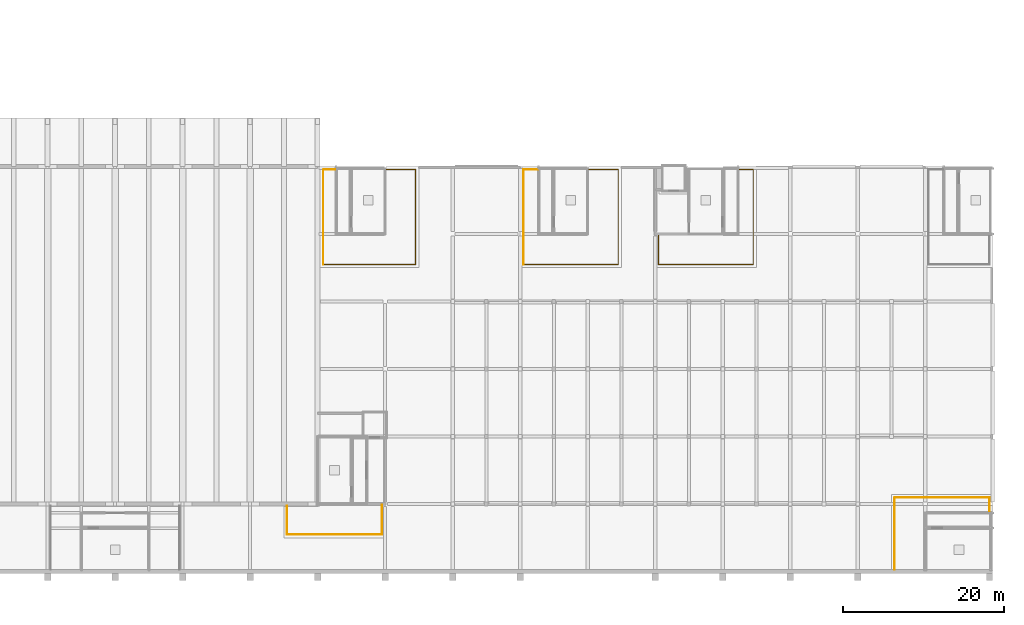
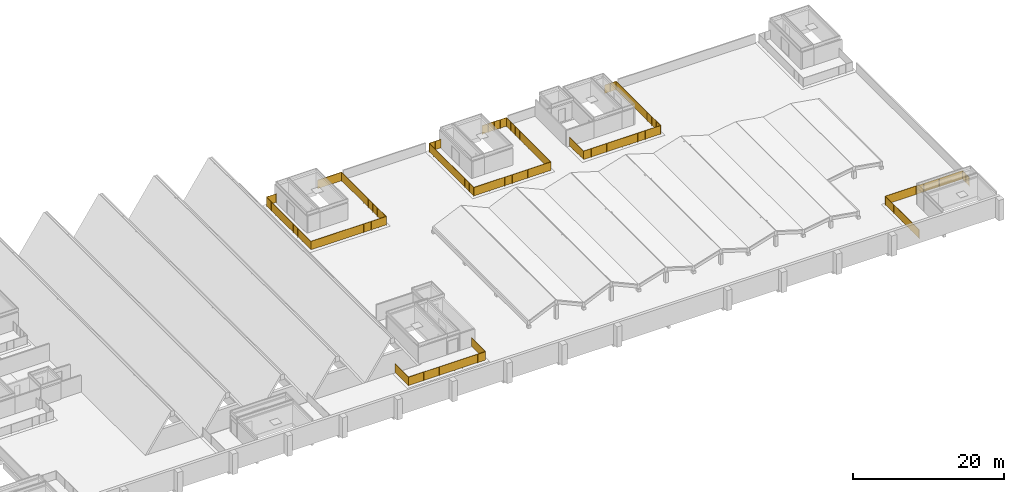
# One storey, part 22 of 24: 9 railings.
"""IFC4 building model written with IfcOpenShell, lengths in metres."""

from ifc_helpers import new_model, si_unit, direction, frame, origin, origin_2d, place, context, subcontext, project, spatial, polyline, circle, outline, extrude, material, type_object, element, save


model = new_model("IFC4")

# Units and contexts
model_context = context("Model", 3, precision=1e-05, world=origin(), true_north=direction((0.0, 1.0)))
body_context = subcontext(model_context, "Body", "Model", "MODEL_VIEW")
ifc_project = project(units=[si_unit("LENGTHUNIT", "METRE"), si_unit("AREAUNIT", "SQUARE_METRE"), si_unit("VOLUMEUNIT", "CUBIC_METRE"), si_unit("PLANEANGLEUNIT", "RADIAN"), si_unit("MASSUNIT", "GRAM", prefix="KILO")], contexts=[model_context])

# Site, building, storey
site_placement = place(None, origin())
site = spatial("IfcSite", under=ifc_project, at=site_placement, CompositionType="ELEMENT")
building_placement = place(site_placement, origin())
building = spatial("IfcBuilding", under=site, at=building_placement, Name="Rulbaag Community and Learning Centre", CompositionType="ELEMENT")
storey_placement = place(building_placement, frame((0.0, 0.0, 14.39990234375)))
storey = spatial("IfcBuildingStorey", under=building, at=storey_placement, Name="L03", CompositionType="ELEMENT", Elevation=14.39990234375)

# Railings
ifc_material = material(Name="Galvanised mild steel", Category="steel")
railing_type = type_object("IfcRailingType", Name="RL-150", PredefinedType="GUARDRAIL", material=ifc_material)
railing_1_placement = place(storey_placement, frame((92.0, 8.300048828125, 0.0)))
element("IfcRailing", 1, at=railing_1_placement, inside=storey, type_object=railing_type, Name="Terrace guard", PredefinedType="GUARDRAIL", context=body_context, shape_type="SweptSolid", body=[
    extrude(circle(Radius=0.02490234375, at=origin_2d()), frame((0.0, 0.0, 1.47509765625), z_axis=(0.0, -1.0, 0.0), x_axis=(1.0, 0.0, 0.0)), (0.0, 0.0, 1.0), 3.699951171875),
    extrude(circle(Radius=0.02001953125, at=origin_2d()), origin(), (0.0, 0.0, 1.0), 1.449951171875),
    extrude(circle(Radius=0.02001953125, at=origin_2d()), frame((0.0, -0.925048828125, 0.0)), (0.0, 0.0, 1.0), 1.449951171875),
    extrude(circle(Radius=0.02001953125, at=origin_2d()), frame((0.0, -1.85009765625, 0.0)), (0.0, 0.0, 1.0), 1.449951171875),
    extrude(circle(Radius=0.02001953125, at=origin_2d()), frame((0.0, -2.77490234375, 0.0)), (0.0, 0.0, 1.0), 1.449951171875),
    extrude(circle(Radius=0.02001953125, at=origin_2d()), frame((0.0, -3.699951171875, 0.0)), (0.0, 0.0, 1.0), 1.449951171875),
    extrude(outline(polyline([(0.0, 0.0), (3.699951171875, 0.0), (3.699951171875, 1.349853515625), (0.0, 1.349853515625), (0.0, 0.0)])), frame((0.0048828125, 0.0, 0.10009765625), z_axis=(-1.0, 0.0, 0.0), x_axis=(0.0, -1.0, 0.0)), (0.0, 0.0, 1.0), 0.010009765625),
])
railing_2_placement = place(storey_placement, frame((92.0, 4.60009765625, 0.0)))
element("IfcRailing", 2, at=railing_2_placement, inside=storey, type_object=railing_type, Name="Terrace guard", PredefinedType="GUARDRAIL", context=body_context, shape_type="SweptSolid", body=[
    extrude(circle(Radius=0.02490234375, at=origin_2d()), frame((0.0, 0.0, 1.47509765625), z_axis=(-1.0, 0.0, 0.0), x_axis=(0.0, -1.0, 0.0)), (0.0, 0.0, 1.0), 11.800048828125),
    extrude(circle(Radius=0.02490234375, at=origin_2d()), frame((-11.800048828125, 0.0, 1.47509765625), z_axis=(0.0, 1.0, 0.0), x_axis=(-1.0, 0.0, 0.0)), (0.0, 0.0, 1.0), 3.5498046875),
    extrude(circle(Radius=0.02001953125, at=origin_2d()), origin(), (0.0, 0.0, 1.0), 1.449951171875),
    extrude(circle(Radius=0.02001953125, at=origin_2d()), frame((-1.179931640625, 0.0, 0.0)), (0.0, 0.0, 1.0), 1.449951171875),
    extrude(circle(Radius=0.02001953125, at=origin_2d()), frame((-2.360107421875, 0.0, 0.0)), (0.0, 0.0, 1.0), 1.449951171875),
    extrude(circle(Radius=0.02001953125, at=origin_2d()), frame((-3.5400390625, 0.0, 0.0)), (0.0, 0.0, 1.0), 1.449951171875),
    extrude(circle(Radius=0.02001953125, at=origin_2d()), frame((-4.719970703125, 0.0, 0.0)), (0.0, 0.0, 1.0), 1.449951171875),
    extrude(circle(Radius=0.02001953125, at=origin_2d()), frame((-5.89990234375, 0.0, 0.0)), (0.0, 0.0, 1.0), 1.449951171875),
    extrude(circle(Radius=0.02001953125, at=origin_2d()), frame((-7.080078125, 0.0, 0.0)), (0.0, 0.0, 1.0), 1.449951171875),
    extrude(circle(Radius=0.02001953125, at=origin_2d()), frame((-8.260009765625, 0.0, 0.0)), (0.0, 0.0, 1.0), 1.449951171875),
    extrude(circle(Radius=0.02001953125, at=origin_2d()), frame((-9.43994140625, 0.0, 0.0)), (0.0, 0.0, 1.0), 1.449951171875),
    extrude(circle(Radius=0.02001953125, at=origin_2d()), frame((-10.6201171875, 0.0, 0.0)), (0.0, 0.0, 1.0), 1.449951171875),
    extrude(circle(Radius=0.02001953125, at=origin_2d()), frame((-11.800048828125, 0.0, 0.0)), (0.0, 0.0, 1.0), 1.449951171875),
    extrude(circle(Radius=0.02001953125, at=origin_2d()), frame((-11.800048828125, 1.183349609375, 0.0)), (0.0, 0.0, 1.0), 1.449951171875),
    extrude(circle(Radius=0.02001953125, at=origin_2d()), frame((-11.800048828125, 2.366455078125, 0.0)), (0.0, 0.0, 1.0), 1.449951171875),
    extrude(circle(Radius=0.02001953125, at=origin_2d()), frame((-11.800048828125, 3.5498046875, 0.0)), (0.0, 0.0, 1.0), 1.449951171875),
    extrude(outline(polyline([(0.0, 0.0), (11.800048828125, 0.0), (11.800048828125, 1.349853515625), (0.0, 1.349853515625), (0.0, 0.0)])), frame((0.0, -0.0048828125, 0.10009765625), z_axis=(0.0, 1.0, 0.0), x_axis=(-1.0, 0.0, 0.0)), (0.0, 0.0, 1.0), 0.010009765625),
    extrude(outline(polyline([(0.0, 0.0), (3.5498046875, 0.0), (3.5498046875, 1.349853515625), (0.0, 1.349853515625), (0.0, 0.0)])), frame((-11.80517578125, 0.0, 0.10009765625), z_axis=(1.0, 0.0, 0.0), x_axis=(0.0, 1.0, 0.0)), (0.0, 0.0, 1.0), 0.010009765625),
])
railing_3_placement = place(storey_placement, frame((136.39990234375, 50.0, 0.0)))
element("IfcRailing", 3, at=railing_3_placement, inside=storey, type_object=railing_type, Name="Terrace guard", PredefinedType="GUARDRAIL", context=body_context, shape_type="SweptSolid", body=[
    extrude(circle(Radius=0.02490234375, at=origin_2d()), frame((0.0, 0.0, 1.47509765625), z_axis=(1.0, 0.0, 0.0), x_axis=(0.0, 1.0, 0.0)), (0.0, 0.0, 1.0), 1.800048828125),
    extrude(circle(Radius=0.02490234375, at=origin_2d()), frame((1.800048828125, 0.0, 1.47509765625), z_axis=(0.0, -1.0, 0.0), x_axis=(1.0, 0.0, 0.0)), (0.0, 0.0, 1.0), 11.800048828125),
    extrude(circle(Radius=0.02490234375, at=origin_2d()), frame((1.800048828125, -11.800048828125, 1.47509765625), z_axis=(-1.0, 0.0, 0.0), x_axis=(0.0, -1.0, 0.0)), (0.0, 0.0, 1.0), 11.800048828125),
    extrude(circle(Radius=0.02490234375, at=origin_2d()), frame((-10.0, -11.800048828125, 1.47509765625), z_axis=(0.0, 1.0, 0.0), x_axis=(-1.0, 0.0, 0.0)), (0.0, 0.0, 1.0), 3.699951171875),
    extrude(circle(Radius=0.02001953125, at=origin_2d()), origin(), (0.0, 0.0, 1.0), 1.449951171875),
    extrude(circle(Radius=0.02001953125, at=origin_2d()), frame((0.89990234375, 0.0, 0.0)), (0.0, 0.0, 1.0), 1.449951171875),
    extrude(circle(Radius=0.02001953125, at=origin_2d()), frame((1.800048828125, 0.0, 0.0)), (0.0, 0.0, 1.0), 1.449951171875),
    extrude(circle(Radius=0.02001953125, at=origin_2d()), frame((1.800048828125, -1.179931640625, 0.0)), (0.0, 0.0, 1.0), 1.449951171875),
    extrude(circle(Radius=0.02001953125, at=origin_2d()), frame((1.800048828125, -2.360107421875, 0.0)), (0.0, 0.0, 1.0), 1.449951171875),
    extrude(circle(Radius=0.02001953125, at=origin_2d()), frame((1.800048828125, -3.5400390625, 0.0)), (0.0, 0.0, 1.0), 1.449951171875),
    extrude(circle(Radius=0.02001953125, at=origin_2d()), frame((1.800048828125, -4.719970703125, 0.0)), (0.0, 0.0, 1.0), 1.449951171875),
    extrude(circle(Radius=0.02001953125, at=origin_2d()), frame((1.800048828125, -5.89990234375, 0.0)), (0.0, 0.0, 1.0), 1.449951171875),
    extrude(circle(Radius=0.02001953125, at=origin_2d()), frame((1.800048828125, -7.080078125, 0.0)), (0.0, 0.0, 1.0), 1.449951171875),
    extrude(circle(Radius=0.02001953125, at=origin_2d()), frame((1.800048828125, -8.260009765625, 0.0)), (0.0, 0.0, 1.0), 1.449951171875),
    extrude(circle(Radius=0.02001953125, at=origin_2d()), frame((1.800048828125, -9.43994140625, 0.0)), (0.0, 0.0, 1.0), 1.449951171875),
    extrude(circle(Radius=0.02001953125, at=origin_2d()), frame((1.800048828125, -10.6201171875, 0.0)), (0.0, 0.0, 1.0), 1.449951171875),
    extrude(circle(Radius=0.02001953125, at=origin_2d()), frame((1.800048828125, -11.800048828125, 0.0)), (0.0, 0.0, 1.0), 1.449951171875),
    extrude(circle(Radius=0.02001953125, at=origin_2d()), frame((0.6201171875, -11.800048828125, 0.0)), (0.0, 0.0, 1.0), 1.449951171875),
    extrude(circle(Radius=0.02001953125, at=origin_2d()), frame((-0.56005859375, -11.800048828125, 0.0)), (0.0, 0.0, 1.0), 1.449951171875),
    extrude(circle(Radius=0.02001953125, at=origin_2d()), frame((-1.739990234375, -11.800048828125, 0.0)), (0.0, 0.0, 1.0), 1.449951171875),
    extrude(circle(Radius=0.02001953125, at=origin_2d()), frame((-2.919921875, -11.800048828125, 0.0)), (0.0, 0.0, 1.0), 1.449951171875),
    extrude(circle(Radius=0.02001953125, at=origin_2d()), frame((-4.10009765625, -11.800048828125, 0.0)), (0.0, 0.0, 1.0), 1.449951171875),
    extrude(circle(Radius=0.02001953125, at=origin_2d()), frame((-5.280029296875, -11.800048828125, 0.0)), (0.0, 0.0, 1.0), 1.449951171875),
    extrude(circle(Radius=0.02001953125, at=origin_2d()), frame((-6.4599609375, -11.800048828125, 0.0)), (0.0, 0.0, 1.0), 1.449951171875),
    extrude(circle(Radius=0.02001953125, at=origin_2d()), frame((-7.639892578125, -11.800048828125, 0.0)), (0.0, 0.0, 1.0), 1.449951171875),
    extrude(circle(Radius=0.02001953125, at=origin_2d()), frame((-8.820068359375, -11.800048828125, 0.0)), (0.0, 0.0, 1.0), 1.449951171875),
    extrude(circle(Radius=0.02001953125, at=origin_2d()), frame((-10.0, -11.800048828125, 0.0)), (0.0, 0.0, 1.0), 1.449951171875),
    extrude(circle(Radius=0.02001953125, at=origin_2d()), frame((-10.0, -10.875, 0.0)), (0.0, 0.0, 1.0), 1.449951171875),
    extrude(circle(Radius=0.02001953125, at=origin_2d()), frame((-10.0, -9.9501953125, 0.0)), (0.0, 0.0, 1.0), 1.449951171875),
    extrude(circle(Radius=0.02001953125, at=origin_2d()), frame((-10.0, -9.025146484375, 0.0)), (0.0, 0.0, 1.0), 1.449951171875),
    extrude(circle(Radius=0.02001953125, at=origin_2d()), frame((-10.0, -8.10009765625, 0.0)), (0.0, 0.0, 1.0), 1.449951171875),
    extrude(outline(polyline([(0.0, 0.0), (1.800048828125, 0.0), (1.800048828125, 1.349853515625), (0.0, 1.349853515625), (0.0, 0.0)])), frame((0.0, 0.0048828125, 0.10009765625), z_axis=(0.0, -1.0, 0.0), x_axis=(1.0, 0.0, 0.0)), (0.0, 0.0, 1.0), 0.010009765625),
    extrude(outline(polyline([(0.0, 0.0), (11.800048828125, 0.0), (11.800048828125, 1.349853515625), (0.0, 1.349853515625), (0.0, 0.0)])), frame((1.80517578125, 0.0, 0.10009765625), z_axis=(-1.0, 0.0, 0.0), x_axis=(0.0, -1.0, 0.0)), (0.0, 0.0, 1.0), 0.010009765625),
    extrude(outline(polyline([(0.0, 0.0), (11.800048828125, 0.0), (11.800048828125, 1.349853515625), (0.0, 1.349853515625), (0.0, 0.0)])), frame((1.800048828125, -11.80517578125, 0.10009765625), z_axis=(0.0, 1.0, 0.0), x_axis=(-1.0, 0.0, 0.0)), (0.0, 0.0, 1.0), 0.010009765625),
    extrude(outline(polyline([(0.0, 0.0), (3.699951171875, 0.0), (3.699951171875, 1.349853515625), (0.0, 1.349853515625), (0.0, 0.0)])), frame((-10.0048828125, -11.800048828125, 0.10009765625), z_axis=(1.0, 0.0, 0.0), x_axis=(0.0, 1.0, 0.0)), (0.0, 0.0, 1.0), 0.010009765625),
])
railing_4_placement = place(storey_placement, frame((92.5, 50.0, 0.0)))
element("IfcRailing", 4, at=railing_4_placement, inside=storey, type_object=railing_type, Name="Terrace guard", PredefinedType="GUARDRAIL", context=body_context, shape_type="SweptSolid", body=[
    extrude(circle(Radius=0.02490234375, at=origin_2d()), frame((0.0, 0.0, 1.47509765625), z_axis=(1.0, 0.0, 0.0), x_axis=(0.0, 1.0, 0.0)), (0.0, 0.0, 1.0), 3.699951171875),
    extrude(circle(Radius=0.02490234375, at=origin_2d()), frame((3.699951171875, 0.0, 1.47509765625), z_axis=(0.0, -1.0, 0.0), x_axis=(1.0, 0.0, 0.0)), (0.0, 0.0, 1.0), 11.800048828125),
    extrude(circle(Radius=0.02490234375, at=origin_2d()), frame((3.699951171875, -11.800048828125, 1.47509765625), z_axis=(-1.0, 0.0, 0.0), x_axis=(0.0, -1.0, 0.0)), (0.0, 0.0, 1.0), 11.5),
    extrude(circle(Radius=0.02001953125, at=origin_2d()), origin(), (0.0, 0.0, 1.0), 1.449951171875),
    extrude(circle(Radius=0.02001953125, at=origin_2d()), frame((0.925048828125, 0.0, 0.0)), (0.0, 0.0, 1.0), 1.449951171875),
    extrude(circle(Radius=0.02001953125, at=origin_2d()), frame((1.85009765625, 0.0, 0.0)), (0.0, 0.0, 1.0), 1.449951171875),
    extrude(circle(Radius=0.02001953125, at=origin_2d()), frame((2.77490234375, 0.0, 0.0)), (0.0, 0.0, 1.0), 1.449951171875),
    extrude(circle(Radius=0.02001953125, at=origin_2d()), frame((3.699951171875, 0.0, 0.0)), (0.0, 0.0, 1.0), 1.449951171875),
    extrude(circle(Radius=0.02001953125, at=origin_2d()), frame((3.699951171875, -1.179931640625, 0.0)), (0.0, 0.0, 1.0), 1.449951171875),
    extrude(circle(Radius=0.02001953125, at=origin_2d()), frame((3.699951171875, -2.360107421875, 0.0)), (0.0, 0.0, 1.0), 1.449951171875),
    extrude(circle(Radius=0.02001953125, at=origin_2d()), frame((3.699951171875, -3.5400390625, 0.0)), (0.0, 0.0, 1.0), 1.449951171875),
    extrude(circle(Radius=0.02001953125, at=origin_2d()), frame((3.699951171875, -4.719970703125, 0.0)), (0.0, 0.0, 1.0), 1.449951171875),
    extrude(circle(Radius=0.02001953125, at=origin_2d()), frame((3.699951171875, -5.89990234375, 0.0)), (0.0, 0.0, 1.0), 1.449951171875),
    extrude(circle(Radius=0.02001953125, at=origin_2d()), frame((3.699951171875, -7.080078125, 0.0)), (0.0, 0.0, 1.0), 1.449951171875),
    extrude(circle(Radius=0.02001953125, at=origin_2d()), frame((3.699951171875, -8.260009765625, 0.0)), (0.0, 0.0, 1.0), 1.449951171875),
    extrude(circle(Radius=0.02001953125, at=origin_2d()), frame((3.699951171875, -9.43994140625, 0.0)), (0.0, 0.0, 1.0), 1.449951171875),
    extrude(circle(Radius=0.02001953125, at=origin_2d()), frame((3.699951171875, -10.6201171875, 0.0)), (0.0, 0.0, 1.0), 1.449951171875),
    extrude(circle(Radius=0.02001953125, at=origin_2d()), frame((3.699951171875, -11.800048828125, 0.0)), (0.0, 0.0, 1.0), 1.449951171875),
    extrude(circle(Radius=0.02001953125, at=origin_2d()), frame((2.550048828125, -11.800048828125, 0.0)), (0.0, 0.0, 1.0), 1.449951171875),
    extrude(circle(Radius=0.02001953125, at=origin_2d()), frame((1.39990234375, -11.800048828125, 0.0)), (0.0, 0.0, 1.0), 1.449951171875),
    extrude(circle(Radius=0.02001953125, at=origin_2d()), frame((0.25, -11.800048828125, 0.0)), (0.0, 0.0, 1.0), 1.449951171875),
    extrude(circle(Radius=0.02001953125, at=origin_2d()), frame((-0.900146484375, -11.800048828125, 0.0)), (0.0, 0.0, 1.0), 1.449951171875),
    extrude(circle(Radius=0.02001953125, at=origin_2d()), frame((-2.050048828125, -11.800048828125, 0.0)), (0.0, 0.0, 1.0), 1.449951171875),
    extrude(circle(Radius=0.02001953125, at=origin_2d()), frame((-3.199951171875, -11.800048828125, 0.0)), (0.0, 0.0, 1.0), 1.449951171875),
    extrude(circle(Radius=0.02001953125, at=origin_2d()), frame((-4.35009765625, -11.800048828125, 0.0)), (0.0, 0.0, 1.0), 1.449951171875),
    extrude(circle(Radius=0.02001953125, at=origin_2d()), frame((-5.5, -11.800048828125, 0.0)), (0.0, 0.0, 1.0), 1.449951171875),
    extrude(circle(Radius=0.02001953125, at=origin_2d()), frame((-6.650146484375, -11.800048828125, 0.0)), (0.0, 0.0, 1.0), 1.449951171875),
    extrude(circle(Radius=0.02001953125, at=origin_2d()), frame((-7.800048828125, -11.800048828125, 0.0)), (0.0, 0.0, 1.0), 1.449951171875),
    extrude(outline(polyline([(0.0, 0.0), (3.699951171875, 0.0), (3.699951171875, 1.349853515625), (0.0, 1.349853515625), (0.0, 0.0)])), frame((0.0, 0.0048828125, 0.10009765625), z_axis=(0.0, -1.0, 0.0), x_axis=(1.0, 0.0, 0.0)), (0.0, 0.0, 1.0), 0.010009765625),
    extrude(outline(polyline([(0.0, 0.0), (11.800048828125, 0.0), (11.800048828125, 1.349853515625), (0.0, 1.349853515625), (0.0, 0.0)])), frame((3.705078125, 0.0, 0.10009765625), z_axis=(-1.0, 0.0, 0.0), x_axis=(0.0, -1.0, 0.0)), (0.0, 0.0, 1.0), 0.010009765625),
    extrude(outline(polyline([(0.0, 0.0), (11.5, 0.0), (11.5, 1.349853515625), (0.0, 1.349853515625), (0.0, 0.0)])), frame((3.699951171875, -11.80517578125, 0.10009765625), z_axis=(0.0, 1.0, 0.0), x_axis=(-1.0, 0.0, 0.0)), (0.0, 0.0, 1.0), 0.010009765625),
])
railing_5_placement = place(storey_placement, frame((84.699951171875, 38.199951171875, 0.0)))
element("IfcRailing", 5, at=railing_5_placement, inside=storey, type_object=railing_type, Name="Terrace guard", PredefinedType="GUARDRAIL", context=body_context, shape_type="SweptSolid", body=[
    extrude(circle(Radius=0.02490234375, at=origin_2d()), frame((0.0, 0.0, 1.47509765625), z_axis=(0.0, 1.0, 0.0), x_axis=(-1.0, 0.0, 0.0)), (0.0, 0.0, 1.0), 11.682861328125),
    extrude(circle(Radius=0.02001953125, at=origin_2d()), origin(), (0.0, 0.0, 1.0), 1.449951171875),
    extrude(circle(Radius=0.02001953125, at=origin_2d()), frame((0.0, 1.168212890625, 0.0)), (0.0, 0.0, 1.0), 1.449951171875),
    extrude(circle(Radius=0.02001953125, at=origin_2d()), frame((0.0, 2.336669921875, 0.0)), (0.0, 0.0, 1.0), 1.449951171875),
    extrude(circle(Radius=0.02001953125, at=origin_2d()), frame((0.0, 3.5048828125, 0.0)), (0.0, 0.0, 1.0), 1.449951171875),
    extrude(circle(Radius=0.02001953125, at=origin_2d()), frame((0.0, 4.673095703125, 0.0)), (0.0, 0.0, 1.0), 1.449951171875),
    extrude(circle(Radius=0.02001953125, at=origin_2d()), frame((0.0, 5.84130859375, 0.0)), (0.0, 0.0, 1.0), 1.449951171875),
    extrude(circle(Radius=0.02001953125, at=origin_2d()), frame((0.0, 7.009765625, 0.0)), (0.0, 0.0, 1.0), 1.449951171875),
    extrude(circle(Radius=0.02001953125, at=origin_2d()), frame((0.0, 8.177978515625, 0.0)), (0.0, 0.0, 1.0), 1.449951171875),
    extrude(circle(Radius=0.02001953125, at=origin_2d()), frame((0.0, 9.34619140625, 0.0)), (0.0, 0.0, 1.0), 1.449951171875),
    extrude(circle(Radius=0.02001953125, at=origin_2d()), frame((0.0, 10.5146484375, 0.0)), (0.0, 0.0, 1.0), 1.449951171875),
    extrude(circle(Radius=0.02001953125, at=origin_2d()), frame((0.0, 11.682861328125, 0.0)), (0.0, 0.0, 1.0), 1.449951171875),
    extrude(outline(polyline([(0.0, 0.0), (11.682861328125, 0.0), (11.682861328125, 1.349853515625), (0.0, 1.349853515625), (0.0, 0.0)])), frame((-0.0048828125, 0.0, 0.10009765625), z_axis=(1.0, 0.0, 0.0), x_axis=(0.0, 1.0, 0.0)), (0.0, 0.0, 1.0), 0.010009765625),
])
railing_6_placement = place(storey_placement, frame((84.734619140625, 50.0, 0.0)))
element("IfcRailing", 6, at=railing_6_placement, inside=storey, type_object=railing_type, Name="Terrace guard", PredefinedType="GUARDRAIL", context=body_context, shape_type="SweptSolid", body=[
    extrude(circle(Radius=0.02490234375, at=origin_2d()), frame((0.0, 0.0, 1.47509765625), z_axis=(1.0, 0.0, 0.0), x_axis=(0.0, 1.0, 0.0)), (0.0, 0.0, 1.0), 1.46533203125),
    extrude(circle(Radius=0.02001953125, at=origin_2d()), origin(), (0.0, 0.0, 1.0), 1.449951171875),
    extrude(circle(Radius=0.02001953125, at=origin_2d()), frame((0.732666015625, 0.0, 0.0)), (0.0, 0.0, 1.0), 1.449951171875),
    extrude(circle(Radius=0.02001953125, at=origin_2d()), frame((1.46533203125, 0.0, 0.0)), (0.0, 0.0, 1.0), 1.449951171875),
    extrude(outline(polyline([(0.0, 0.0), (1.46533203125, 0.0), (1.46533203125, 1.349853515625), (0.0, 1.349853515625), (0.0, 0.0)])), frame((0.0, 0.0048828125, 0.10009765625), z_axis=(0.0, -1.0, 0.0), x_axis=(1.0, 0.0, 0.0)), (0.0, 0.0, 1.0), 0.010009765625),
])
railing_7_placement = place(storey_placement, frame((117.699951171875, 50.0, 0.0)))
element("IfcRailing", 7, at=railing_7_placement, inside=storey, type_object=railing_type, Name="Terrace guard", PredefinedType="GUARDRAIL", context=body_context, shape_type="SweptSolid", body=[
    extrude(circle(Radius=0.02490234375, at=origin_2d()), frame((0.0, 0.0, 1.47509765625), z_axis=(1.0, 0.0, 0.0), x_axis=(0.0, 1.0, 0.0)), (0.0, 0.0, 1.0), 3.699951171875),
    extrude(circle(Radius=0.02490234375, at=origin_2d()), frame((3.699951171875, 0.0, 1.47509765625), z_axis=(0.0, -1.0, 0.0), x_axis=(1.0, 0.0, 0.0)), (0.0, 0.0, 1.0), 11.800048828125),
    extrude(circle(Radius=0.02490234375, at=origin_2d()), frame((3.699951171875, -11.800048828125, 1.47509765625), z_axis=(-1.0, 0.0, 0.0), x_axis=(0.0, -1.0, 0.0)), (0.0, 0.0, 1.0), 11.7998046875),
    extrude(circle(Radius=0.02001953125, at=origin_2d()), origin(), (0.0, 0.0, 1.0), 1.449951171875),
    extrude(circle(Radius=0.02001953125, at=origin_2d()), frame((0.925048828125, 0.0, 0.0)), (0.0, 0.0, 1.0), 1.449951171875),
    extrude(circle(Radius=0.02001953125, at=origin_2d()), frame((1.85009765625, 0.0, 0.0)), (0.0, 0.0, 1.0), 1.449951171875),
    extrude(circle(Radius=0.02001953125, at=origin_2d()), frame((2.77490234375, 0.0, 0.0)), (0.0, 0.0, 1.0), 1.449951171875),
    extrude(circle(Radius=0.02001953125, at=origin_2d()), frame((3.699951171875, 0.0, 0.0)), (0.0, 0.0, 1.0), 1.449951171875),
    extrude(circle(Radius=0.02001953125, at=origin_2d()), frame((3.699951171875, -1.179931640625, 0.0)), (0.0, 0.0, 1.0), 1.449951171875),
    extrude(circle(Radius=0.02001953125, at=origin_2d()), frame((3.699951171875, -2.360107421875, 0.0)), (0.0, 0.0, 1.0), 1.449951171875),
    extrude(circle(Radius=0.02001953125, at=origin_2d()), frame((3.699951171875, -3.5400390625, 0.0)), (0.0, 0.0, 1.0), 1.449951171875),
    extrude(circle(Radius=0.02001953125, at=origin_2d()), frame((3.699951171875, -4.719970703125, 0.0)), (0.0, 0.0, 1.0), 1.449951171875),
    extrude(circle(Radius=0.02001953125, at=origin_2d()), frame((3.699951171875, -5.89990234375, 0.0)), (0.0, 0.0, 1.0), 1.449951171875),
    extrude(circle(Radius=0.02001953125, at=origin_2d()), frame((3.699951171875, -7.080078125, 0.0)), (0.0, 0.0, 1.0), 1.449951171875),
    extrude(circle(Radius=0.02001953125, at=origin_2d()), frame((3.699951171875, -8.260009765625, 0.0)), (0.0, 0.0, 1.0), 1.449951171875),
    extrude(circle(Radius=0.02001953125, at=origin_2d()), frame((3.699951171875, -9.43994140625, 0.0)), (0.0, 0.0, 1.0), 1.449951171875),
    extrude(circle(Radius=0.02001953125, at=origin_2d()), frame((3.699951171875, -10.6201171875, 0.0)), (0.0, 0.0, 1.0), 1.449951171875),
    extrude(circle(Radius=0.02001953125, at=origin_2d()), frame((3.699951171875, -11.800048828125, 0.0)), (0.0, 0.0, 1.0), 1.449951171875),
    extrude(circle(Radius=0.02001953125, at=origin_2d()), frame((2.52001953125, -11.800048828125, 0.0)), (0.0, 0.0, 1.0), 1.449951171875),
    extrude(circle(Radius=0.02001953125, at=origin_2d()), frame((1.340087890625, -11.800048828125, 0.0)), (0.0, 0.0, 1.0), 1.449951171875),
    extrude(circle(Radius=0.02001953125, at=origin_2d()), frame((0.159912109375, -11.800048828125, 0.0)), (0.0, 0.0, 1.0), 1.449951171875),
    extrude(circle(Radius=0.02001953125, at=origin_2d()), frame((-1.02001953125, -11.800048828125, 0.0)), (0.0, 0.0, 1.0), 1.449951171875),
    extrude(circle(Radius=0.02001953125, at=origin_2d()), frame((-2.199951171875, -11.800048828125, 0.0)), (0.0, 0.0, 1.0), 1.449951171875),
    extrude(circle(Radius=0.02001953125, at=origin_2d()), frame((-3.3798828125, -11.800048828125, 0.0)), (0.0, 0.0, 1.0), 1.449951171875),
    extrude(circle(Radius=0.02001953125, at=origin_2d()), frame((-4.559814453125, -11.800048828125, 0.0)), (0.0, 0.0, 1.0), 1.449951171875),
    extrude(circle(Radius=0.02001953125, at=origin_2d()), frame((-5.739990234375, -11.800048828125, 0.0)), (0.0, 0.0, 1.0), 1.449951171875),
    extrude(circle(Radius=0.02001953125, at=origin_2d()), frame((-6.919921875, -11.800048828125, 0.0)), (0.0, 0.0, 1.0), 1.449951171875),
    extrude(circle(Radius=0.02001953125, at=origin_2d()), frame((-8.099853515625, -11.800048828125, 0.0)), (0.0, 0.0, 1.0), 1.449951171875),
    extrude(outline(polyline([(0.0, 0.0), (3.699951171875, 0.0), (3.699951171875, 1.349853515625), (0.0, 1.349853515625), (0.0, 0.0)])), frame((0.0, 0.0048828125, 0.10009765625), z_axis=(0.0, -1.0, 0.0), x_axis=(1.0, 0.0, 0.0)), (0.0, 0.0, 1.0), 0.010009765625),
    extrude(outline(polyline([(0.0, 0.0), (11.800048828125, 0.0), (11.800048828125, 1.349853515625), (0.0, 1.349853515625), (0.0, 0.0)])), frame((3.705078125, 0.0, 0.10009765625), z_axis=(-1.0, 0.0, 0.0), x_axis=(0.0, -1.0, 0.0)), (0.0, 0.0, 1.0), 0.010009765625),
    extrude(outline(polyline([(0.0, 0.0), (11.7998046875, 0.0), (11.7998046875, 1.349853515625), (0.0, 1.349853515625), (0.0, 0.0)])), frame((3.699951171875, -11.80517578125, 0.10009765625), z_axis=(0.0, 1.0, 0.0), x_axis=(-1.0, 0.0, 0.0)), (0.0, 0.0, 1.0), 0.010009765625),
])
railing_8_placement = place(storey_placement, frame((109.60009765625, 38.199951171875, 0.0)))
element("IfcRailing", 8, at=railing_8_placement, inside=storey, type_object=railing_type, Name="Terrace guard", PredefinedType="GUARDRAIL", context=body_context, shape_type="SweptSolid", body=[
    extrude(circle(Radius=0.02490234375, at=origin_2d()), frame((0.0, 0.0, 1.47509765625), z_axis=(0.0, 1.0, 0.0), x_axis=(-1.0, 0.0, 0.0)), (0.0, 0.0, 1.0), 11.800048828125),
    extrude(circle(Radius=0.02490234375, at=origin_2d()), frame((0.0, 11.800048828125, 1.47509765625), z_axis=(1.0, 0.0, 0.0), x_axis=(0.0, 1.0, 0.0)), (0.0, 0.0, 1.0), 1.7998046875),
    extrude(circle(Radius=0.02001953125, at=origin_2d()), origin(), (0.0, 0.0, 1.0), 1.449951171875),
    extrude(circle(Radius=0.02001953125, at=origin_2d()), frame((0.0, 1.179931640625, 0.0)), (0.0, 0.0, 1.0), 1.449951171875),
    extrude(circle(Radius=0.02001953125, at=origin_2d()), frame((0.0, 2.360107421875, 0.0)), (0.0, 0.0, 1.0), 1.449951171875),
    extrude(circle(Radius=0.02001953125, at=origin_2d()), frame((0.0, 3.5400390625, 0.0)), (0.0, 0.0, 1.0), 1.449951171875),
    extrude(circle(Radius=0.02001953125, at=origin_2d()), frame((0.0, 4.719970703125, 0.0)), (0.0, 0.0, 1.0), 1.449951171875),
    extrude(circle(Radius=0.02001953125, at=origin_2d()), frame((0.0, 5.89990234375, 0.0)), (0.0, 0.0, 1.0), 1.449951171875),
    extrude(circle(Radius=0.02001953125, at=origin_2d()), frame((0.0, 7.080078125, 0.0)), (0.0, 0.0, 1.0), 1.449951171875),
    extrude(circle(Radius=0.02001953125, at=origin_2d()), frame((0.0, 8.260009765625, 0.0)), (0.0, 0.0, 1.0), 1.449951171875),
    extrude(circle(Radius=0.02001953125, at=origin_2d()), frame((0.0, 9.43994140625, 0.0)), (0.0, 0.0, 1.0), 1.449951171875),
    extrude(circle(Radius=0.02001953125, at=origin_2d()), frame((0.0, 10.6201171875, 0.0)), (0.0, 0.0, 1.0), 1.449951171875),
    extrude(circle(Radius=0.02001953125, at=origin_2d()), frame((0.0, 11.800048828125, 0.0)), (0.0, 0.0, 1.0), 1.449951171875),
    extrude(circle(Radius=0.02001953125, at=origin_2d()), frame((0.89990234375, 11.800048828125, 0.0)), (0.0, 0.0, 1.0), 1.449951171875),
    extrude(circle(Radius=0.02001953125, at=origin_2d()), frame((1.7998046875, 11.800048828125, 0.0)), (0.0, 0.0, 1.0), 1.449951171875),
    extrude(outline(polyline([(0.0, 0.0), (11.800048828125, 0.0), (11.800048828125, 1.349853515625), (0.0, 1.349853515625), (0.0, 0.0)])), frame((-0.0048828125, 0.0, 0.10009765625), z_axis=(1.0, 0.0, 0.0), x_axis=(0.0, 1.0, 0.0)), (0.0, 0.0, 1.0), 0.010009765625),
    extrude(outline(polyline([(0.0, 0.0), (1.7998046875, 0.0), (1.7998046875, 1.349853515625), (0.0, 1.349853515625), (0.0, 0.0)])), frame((0.0, 11.80517578125, 0.10009765625), z_axis=(0.0, -1.0, 0.0), x_axis=(1.0, 0.0, 0.0)), (0.0, 0.0, 1.0), 0.010009765625),
])
railing_9_placement = place(storey_placement, frame((155.800048828125, 0.22509765625, 0.0)))
element("IfcRailing", 9, at=railing_9_placement, inside=storey, type_object=railing_type, Name="Terrace guard", PredefinedType="GUARDRAIL", context=body_context, shape_type="SweptSolid", body=[
    extrude(circle(Radius=0.02490234375, at=origin_2d()), frame((0.0, 0.0, 1.47509765625), z_axis=(0.0, 1.0, 0.0), x_axis=(-1.0, 0.0, 0.0)), (0.0, 0.0, 1.0), 8.974853515625),
    extrude(circle(Radius=0.02490234375, at=origin_2d()), frame((0.0, 8.974853515625, 1.47509765625), z_axis=(1.0, 0.0, 0.0), x_axis=(0.0, 1.0, 0.0)), (0.0, 0.0, 1.0), 11.800048828125),
    extrude(circle(Radius=0.02490234375, at=origin_2d()), frame((11.800048828125, 8.974853515625, 1.47509765625), z_axis=(0.0, -1.0, 0.0), x_axis=(1.0, 0.0, 0.0)), (0.0, 0.0, 1.0), 1.800048828125),
    extrude(circle(Radius=0.02001953125, at=origin_2d()), origin(), (0.0, 0.0, 1.0), 1.449951171875),
    extrude(circle(Radius=0.02001953125, at=origin_2d()), frame((0.0, 1.121826171875, 0.0)), (0.0, 0.0, 1.0), 1.449951171875),
    extrude(circle(Radius=0.02001953125, at=origin_2d()), frame((0.0, 2.24365234375, 0.0)), (0.0, 0.0, 1.0), 1.449951171875),
    extrude(circle(Radius=0.02001953125, at=origin_2d()), frame((0.0, 3.365478515625, 0.0)), (0.0, 0.0, 1.0), 1.449951171875),
    extrude(circle(Radius=0.02001953125, at=origin_2d()), frame((0.0, 4.4873046875, 0.0)), (0.0, 0.0, 1.0), 1.449951171875),
    extrude(circle(Radius=0.02001953125, at=origin_2d()), frame((0.0, 5.609375, 0.0)), (0.0, 0.0, 1.0), 1.449951171875),
    extrude(circle(Radius=0.02001953125, at=origin_2d()), frame((0.0, 6.731201171875, 0.0)), (0.0, 0.0, 1.0), 1.449951171875),
    extrude(circle(Radius=0.02001953125, at=origin_2d()), frame((0.0, 7.85302734375, 0.0)), (0.0, 0.0, 1.0), 1.449951171875),
    extrude(circle(Radius=0.02001953125, at=origin_2d()), frame((0.0, 8.974853515625, 0.0)), (0.0, 0.0, 1.0), 1.449951171875),
    extrude(circle(Radius=0.02001953125, at=origin_2d()), frame((1.179931640625, 8.974853515625, 0.0)), (0.0, 0.0, 1.0), 1.449951171875),
    extrude(circle(Radius=0.02001953125, at=origin_2d()), frame((2.360107421875, 8.974853515625, 0.0)), (0.0, 0.0, 1.0), 1.449951171875),
    extrude(circle(Radius=0.02001953125, at=origin_2d()), frame((3.5400390625, 8.974853515625, 0.0)), (0.0, 0.0, 1.0), 1.449951171875),
    extrude(circle(Radius=0.02001953125, at=origin_2d()), frame((4.719970703125, 8.974853515625, 0.0)), (0.0, 0.0, 1.0), 1.449951171875),
    extrude(circle(Radius=0.02001953125, at=origin_2d()), frame((5.89990234375, 8.974853515625, 0.0)), (0.0, 0.0, 1.0), 1.449951171875),
    extrude(circle(Radius=0.02001953125, at=origin_2d()), frame((7.080078125, 8.974853515625, 0.0)), (0.0, 0.0, 1.0), 1.449951171875),
    extrude(circle(Radius=0.02001953125, at=origin_2d()), frame((8.260009765625, 8.974853515625, 0.0)), (0.0, 0.0, 1.0), 1.449951171875),
    extrude(circle(Radius=0.02001953125, at=origin_2d()), frame((9.43994140625, 8.974853515625, 0.0)), (0.0, 0.0, 1.0), 1.449951171875),
    extrude(circle(Radius=0.02001953125, at=origin_2d()), frame((10.6201171875, 8.974853515625, 0.0)), (0.0, 0.0, 1.0), 1.449951171875),
    extrude(circle(Radius=0.02001953125, at=origin_2d()), frame((11.800048828125, 8.974853515625, 0.0)), (0.0, 0.0, 1.0), 1.449951171875),
    extrude(circle(Radius=0.02001953125, at=origin_2d()), frame((11.800048828125, 8.07470703125, 0.0)), (0.0, 0.0, 1.0), 1.449951171875),
    extrude(circle(Radius=0.02001953125, at=origin_2d()), frame((11.800048828125, 7.1748046875, 0.0)), (0.0, 0.0, 1.0), 1.449951171875),
    extrude(outline(polyline([(0.0, 0.0), (8.974853515625, 0.0), (8.974853515625, 1.349853515625), (0.0, 1.349853515625), (0.0, 0.0)])), frame((-0.0048828125, 0.0, 0.10009765625), z_axis=(1.0, 0.0, 0.0), x_axis=(0.0, 1.0, 0.0)), (0.0, 0.0, 1.0), 0.010009765625),
    extrude(outline(polyline([(0.0, 0.0), (11.800048828125, 0.0), (11.800048828125, 1.349853515625), (0.0, 1.349853515625), (0.0, 0.0)])), frame((0.0, 8.97998046875, 0.10009765625), z_axis=(0.0, -1.0, 0.0), x_axis=(1.0, 0.0, 0.0)), (0.0, 0.0, 1.0), 0.010009765625),
    extrude(outline(polyline([(0.0, 0.0), (1.800048828125, 0.0), (1.800048828125, 1.349853515625), (0.0, 1.349853515625), (0.0, 0.0)])), frame((11.80517578125, 8.974853515625, 0.10009765625), z_axis=(-1.0, 0.0, 0.0), x_axis=(0.0, -1.0, 0.0)), (0.0, 0.0, 1.0), 0.010009765625),
])

save(model, "model.ifc")
